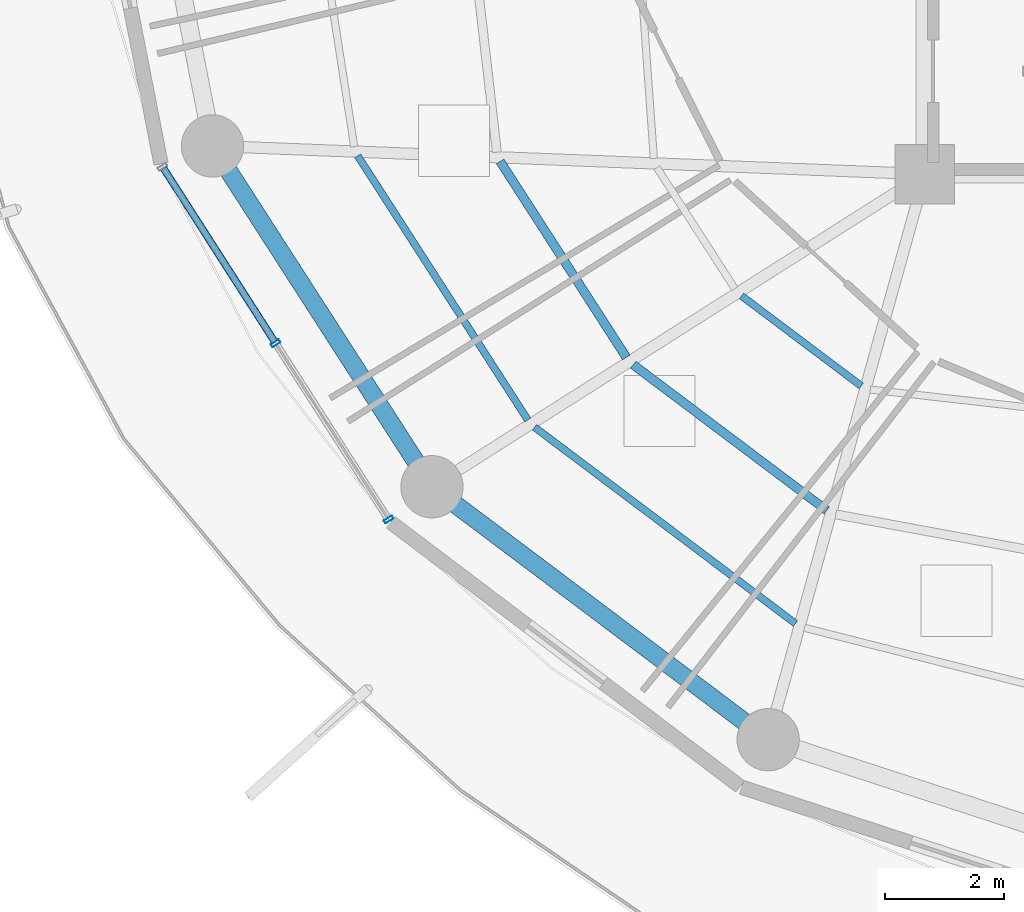
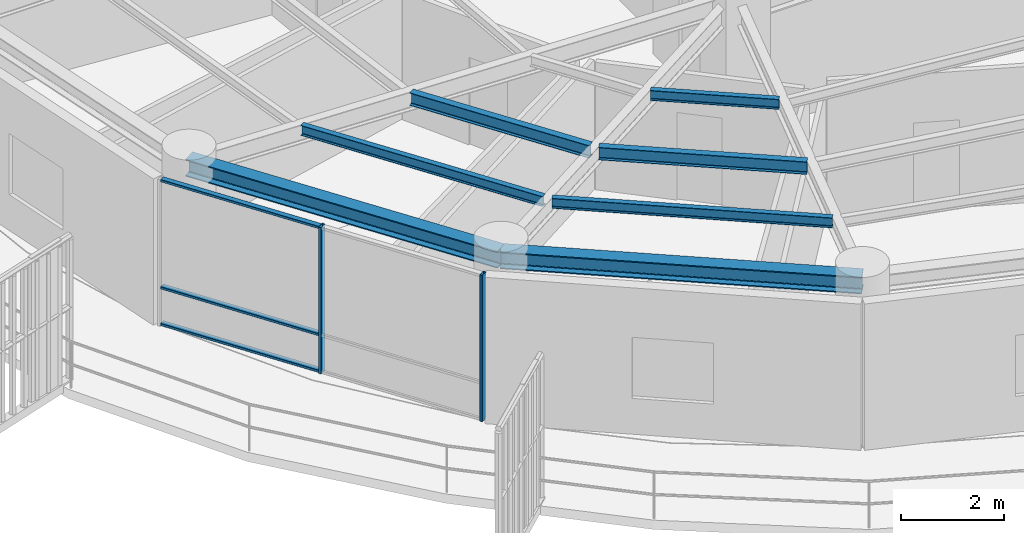
# One storey, part 2 of 31: 7 beams, 5 members, 1 element without a shape of its own.
"""IFC4 building model written with IfcOpenShell, lengths in metres."""

from ifc_helpers import new_model, si_unit, direction, frame, origin, origin_2d, place, context, subcontext, project, spatial, hollow_rectangle, i_section, extrude, material, layer, layer_set, material_profile, profile_set, type_object, element, aggregate, save


model = new_model("IFC4")

# Units and contexts
model_context = context("Model", 3, precision=1e-05, world=origin(), true_north=direction((0.0, 1.0)))
body_context = subcontext(model_context, "Body", "Model", "MODEL_VIEW")
ifc_project = project(units=[si_unit("LENGTHUNIT", "METRE"), si_unit("AREAUNIT", "SQUARE_METRE"), si_unit("VOLUMEUNIT", "CUBIC_METRE"), si_unit("PLANEANGLEUNIT", "RADIAN"), si_unit("MASSUNIT", "GRAM", prefix="KILO")], contexts=[model_context])

# Site, building, storey
site_placement = place(None, origin())
site = spatial("IfcSite", under=ifc_project, at=site_placement, CompositionType="ELEMENT")
building_placement = place(site_placement, origin())
building = spatial("IfcBuilding", under=site, at=building_placement, Name="Kelanora Arch Commons", CompositionType="ELEMENT")
storey_placement = place(building_placement, frame((0.0, 0.0, 223.199951171875)))
storey = spatial("IfcBuildingStorey", under=building, at=storey_placement, Name="L57", CompositionType="ELEMENT", Elevation=223.199951171875)

# Beams
ifc_material_1 = material(Name="Steel S355", Category="steel")
ifc_material_profile_1 = material_profile(ifc_material_1, i_section(OverallWidth=0.14990234375, OverallDepth=0.300048828125, WebThickness=0.007080078125, FlangeThickness=0.0107421875, FilletRadius=0.014892578125, at=origin_2d()), Name="IPE300")
ifc_profile_set_1 = profile_set([ifc_material_profile_1], Name="Steel S355")
beam_type_1 = type_object("IfcBeamType", Name="BM-JST-01", PredefinedType="JOIST", material=ifc_profile_set_1)
beam_1_placement = place(storey_placement, frame((58.847900390625, 51.213134765625, 3.340087890625), z_axis=(0.541411265892, -0.840757896879, 0.0), x_axis=(0.840757896879, 0.541411265892, 0.0)))
element("IfcBeam", 1, at=beam_1_placement, inside=storey, type_object=beam_type_1, Name="Secondary Chord Joist BJB-20 L57", PredefinedType="JOIST", context=body_context, shape_type="SweptSolid", body=[
    extrude(i_section(OverallWidth=0.14990234375, OverallDepth=0.300048828125, WebThickness=0.007080078125, FlangeThickness=0.0107421875, FilletRadius=0.014892578125, at=origin_2d()), origin(), (0.0, 0.0, 1.0), 3.92529296875),
])
beam_2_placement = place(storey_placement, frame((61.087158203125, 47.790283203125, 3.340087890625), z_axis=(0.799101708656, -0.601195857624, 0.0), x_axis=(0.601195857624, 0.799101708656, 0.0)))
element("IfcBeam", 2, at=beam_2_placement, inside=storey, type_object=beam_type_1, Name="Secondary Chord Joist BJB-22 L57", PredefinedType="JOIST", context=body_context, shape_type="SweptSolid", body=[
    extrude(i_section(OverallWidth=0.14990234375, OverallDepth=0.300048828125, WebThickness=0.007080078125, FlangeThickness=0.0107421875, FilletRadius=0.014892578125, at=origin_2d()), origin(), (0.0, 0.0, 1.0), 4.080810546875),
])
ifc_material_profile_2 = material_profile(ifc_material_1, i_section(OverallWidth=0.1201171875, OverallDepth=0.239990234375, WebThickness=0.006103515625, FlangeThickness=0.009765625, FilletRadius=0.014892578125, at=origin_2d()), Name="IPE240")
ifc_profile_set_2 = profile_set([ifc_material_profile_2], Name="Steel S355")
beam_type_2 = type_object("IfcBeamType", Name="BM-JST-02", PredefinedType="JOIST", material=ifc_profile_set_2)
beam_3_placement = place(storey_placement, frame((56.44873046875, 51.30810546875, 3.3701171875), z_axis=(0.541382492679, -0.840776424872, 0.0), x_axis=(0.840776424872, 0.541382492679, 0.0)))
element("IfcBeam", 3, at=beam_3_placement, inside=storey, type_object=beam_type_2, Name="Secondary Chord Joist BJC-20 L57", PredefinedType="JOIST", context=body_context, shape_type="SweptSolid", body=[
    extrude(i_section(OverallWidth=0.1201171875, OverallDepth=0.239990234375, WebThickness=0.006103515625, FlangeThickness=0.009765625, FilletRadius=0.014892578125, at=origin_2d()), origin(), (0.0, 0.0, 1.0), 5.29052734375),
])
beam_4_placement = place(storey_placement, frame((62.913330078125, 48.948486328125, 3.3701171875), z_axis=(0.79911638933, -0.601176343766, 0.0), x_axis=(0.601176343766, 0.79911638933, 0.0)))
element("IfcBeam", 4, at=beam_4_placement, inside=storey, type_object=beam_type_2, Name="Secondary Chord Joist BJA-22 L57", PredefinedType="JOIST", context=body_context, shape_type="SweptSolid", body=[
    extrude(i_section(OverallWidth=0.1201171875, OverallDepth=0.239990234375, WebThickness=0.006103515625, FlangeThickness=0.009765625, FilletRadius=0.014892578125, at=origin_2d()), origin(), (0.0, 0.0, 1.0), 2.522216796875),
])
beam_5_placement = place(storey_placement, frame((59.4267578125, 46.7373046875, 3.3701171875), z_axis=(0.799109197935, -0.601185902842, 0.0), x_axis=(0.601185902842, 0.799109197935, 0.0)))
element("IfcBeam", 5, at=beam_5_placement, inside=storey, type_object=beam_type_2, Name="Secondary Chord Joist BJC-22 L57", PredefinedType="JOIST", context=body_context, shape_type="SweptSolid", body=[
    extrude(i_section(OverallWidth=0.1201171875, OverallDepth=0.239990234375, WebThickness=0.006103515625, FlangeThickness=0.009765625, FilletRadius=0.014892578125, at=origin_2d()), origin(), (0.0, 0.0, 1.0), 5.497802734375),
])
ifc_material_profile_3 = material_profile(ifc_material_1, i_section(OverallWidth=0.300048828125, OverallDepth=0.39990234375, WebThickness=0.013427734375, FlangeThickness=0.02392578125, FilletRadius=0.027099609375, at=origin_2d()), Name="HEB400")
ifc_profile_set_3 = profile_set([ifc_material_profile_3], Name="Steel S355")
beam_type_3 = type_object("IfcBeamType", Name="BM-SPN-Z4", PredefinedType="SPANDREL", material=ifc_profile_set_3)
beam_6_placement = place(storey_placement, frame((54.00341796875, 51.474365234375, 3.2900390625), z_axis=(0.541364878868, -0.840787766281, 0.0), x_axis=(0.840787766281, 0.541364878868, 0.0)))
element("IfcBeam", 6, at=beam_6_placement, inside=storey, type_object=beam_type_3, Name="Perimeter Spandrel Beam BS-20 L57", PredefinedType="SPANDREL", context=body_context, shape_type="SweptSolid", body=[
    extrude(i_section(OverallWidth=0.300048828125, OverallDepth=0.39990234375, WebThickness=0.013427734375, FlangeThickness=0.02392578125, FilletRadius=0.027099609375, at=origin_2d()), origin(), (0.0, 0.0, 1.0), 6.825439453125),
])
beam_7_placement = place(storey_placement, frame((57.698486328125, 45.735595703125, 3.2900390625), z_axis=(0.799114211715, -0.60117923836, 0.0), x_axis=(0.60117923836, 0.799114211715, 0.0)))
element("IfcBeam", 7, at=beam_7_placement, inside=storey, type_object=beam_type_3, Name="Perimeter Spandrel Beam BS-22 L57", PredefinedType="SPANDREL", context=body_context, shape_type="SweptSolid", body=[
    extrude(i_section(OverallWidth=0.300048828125, OverallDepth=0.39990234375, WebThickness=0.013427734375, FlangeThickness=0.02392578125, FilletRadius=0.027099609375, at=origin_2d()), origin(), (0.0, 0.0, 1.0), 7.0849609375),
])

# Curtain wall, members
ifc_material_2 = material(Name="Terracotta ceramic-fritted low-E glass and aluminium", Category="masonry")
ifc_layer = layer(ifc_material_2, 0.175048828125)
ifc_layer_set = layer_set([ifc_layer], Name="Terracotta ceramic-fritted low-E glass and aluminium")
curtain_wall_type = type_object("IfcCurtainWallType", Name="CW-SYS-02", PredefinedType="NOTDEFINED", material=ifc_layer_set)
curtain_wall_placement = place(storey_placement, origin())
curtain_wall = element("IfcCurtainWall", 8, at=curtain_wall_placement, inside=storey, type_object=curtain_wall_type, Name="Unitised Curtain Wall L57-B10", PredefinedType="NOTDEFINED")
ifc_material_3 = material(Name="Powder-coated aluminium terracotta", Category="masonry")
ifc_material_profile_4 = material_profile(ifc_material_3, hollow_rectangle(XDim=0.159912109375, YDim=0.06005859375, WallThickness=0.0048828125, InnerFilletRadius=0.0048828125, OuterFilletRadius=0.010009765625, at=origin_2d()), Name="CWM160x60")
ifc_profile_set_4 = profile_set([ifc_material_profile_4], Name="Powder-coated aluminium terracotta")
member_type_1 = type_object("IfcMemberType", Name="CWM-STD", PredefinedType="MULLION", material=ifc_profile_set_4)
member_1_placement = place(storey_placement, frame((55.06640625, 48.15185546875, 0.0), z_axis=(0.0, 0.0, 1.0), x_axis=(0.84194757539, 0.539559338994, 0.0)))
member_1 = element("IfcMember", 9, at=member_1_placement, type_object=member_type_1, Name="CW-02 mullion 2", PredefinedType="MULLION", context=body_context, shape_type="SweptSolid", body=[
    extrude(hollow_rectangle(XDim=0.159912109375, YDim=0.06005859375, WallThickness=0.0048828125, InnerFilletRadius=0.0048828125, OuterFilletRadius=0.010009765625, at=origin_2d()), origin(), (0.0, 0.0, 1.0), 3.47509765625),
])
member_2_placement = place(storey_placement, frame((56.969482421875, 45.18212890625, 0.0), z_axis=(0.0, 0.0, 1.0), x_axis=(0.84194757539, 0.539559338994, 0.0)))
member_2 = element("IfcMember", 10, at=member_2_placement, type_object=member_type_1, Name="CW-02 mullion 3", PredefinedType="MULLION", context=body_context, shape_type="SweptSolid", body=[
    extrude(hollow_rectangle(XDim=0.159912109375, YDim=0.06005859375, WallThickness=0.0048828125, InnerFilletRadius=0.0048828125, OuterFilletRadius=0.010009765625, at=origin_2d()), origin(), (0.0, 0.0, 1.0), 3.47509765625),
])
ifc_material_profile_5 = material_profile(ifc_material_3, hollow_rectangle(XDim=0.1201171875, YDim=0.06005859375, WallThickness=0.0048828125, InnerFilletRadius=0.0048828125, OuterFilletRadius=0.010009765625, at=origin_2d()), Name="CWT120x60")
ifc_profile_set_5 = profile_set([ifc_material_profile_5], Name="Powder-coated aluminium terracotta")
member_type_2 = type_object("IfcMemberType", Name="CWT-STD", PredefinedType="USERDEFINED", material=ifc_profile_set_5)
member_3_placement = place(storey_placement, frame((53.17919921875, 51.096435546875, 0.030029296875), z_axis=(0.539579095642, -0.84193491408, 0.0), x_axis=(0.84193491408, 0.539579095642, 0.0)))
member_3 = element("IfcMember", 11, at=member_3_placement, type_object=member_type_2, Name="CW-02 transom 1.1", ObjectType="TRANSOM", PredefinedType="USERDEFINED", context=body_context, shape_type="SweptSolid", body=[
    extrude(hollow_rectangle(XDim=0.1201171875, YDim=0.06005859375, WallThickness=0.0048828125, InnerFilletRadius=0.0048828125, OuterFilletRadius=0.010009765625, at=origin_2d()), origin(), (0.0, 0.0, 1.0), 3.46728515625),
])
member_4_placement = place(storey_placement, frame((53.17919921875, 51.096435546875, 0.900146484375), z_axis=(0.539579095642, -0.84193491408, 0.0), x_axis=(0.84193491408, 0.539579095642, 0.0)))
member_4 = element("IfcMember", 12, at=member_4_placement, type_object=member_type_2, Name="CW-02 transom 1.2", ObjectType="TRANSOM", PredefinedType="USERDEFINED", context=body_context, shape_type="SweptSolid", body=[
    extrude(hollow_rectangle(XDim=0.1201171875, YDim=0.06005859375, WallThickness=0.0048828125, InnerFilletRadius=0.0048828125, OuterFilletRadius=0.010009765625, at=origin_2d()), origin(), (0.0, 0.0, 1.0), 3.46728515625),
])
member_5_placement = place(storey_placement, frame((53.17919921875, 51.096435546875, 3.445068359375), z_axis=(0.539579095642, -0.84193491408, 0.0), x_axis=(0.84193491408, 0.539579095642, 0.0)))
member_5 = element("IfcMember", 13, at=member_5_placement, type_object=member_type_2, Name="CW-02 transom 1.3", ObjectType="TRANSOM", PredefinedType="USERDEFINED", context=body_context, shape_type="SweptSolid", body=[
    extrude(hollow_rectangle(XDim=0.1201171875, YDim=0.06005859375, WallThickness=0.0048828125, InnerFilletRadius=0.0048828125, OuterFilletRadius=0.010009765625, at=origin_2d()), origin(), (0.0, 0.0, 1.0), 3.46728515625),
])
aggregate(curtain_wall, [member_1, member_2, member_3, member_4, member_5])

save(model, "model.ifc")
